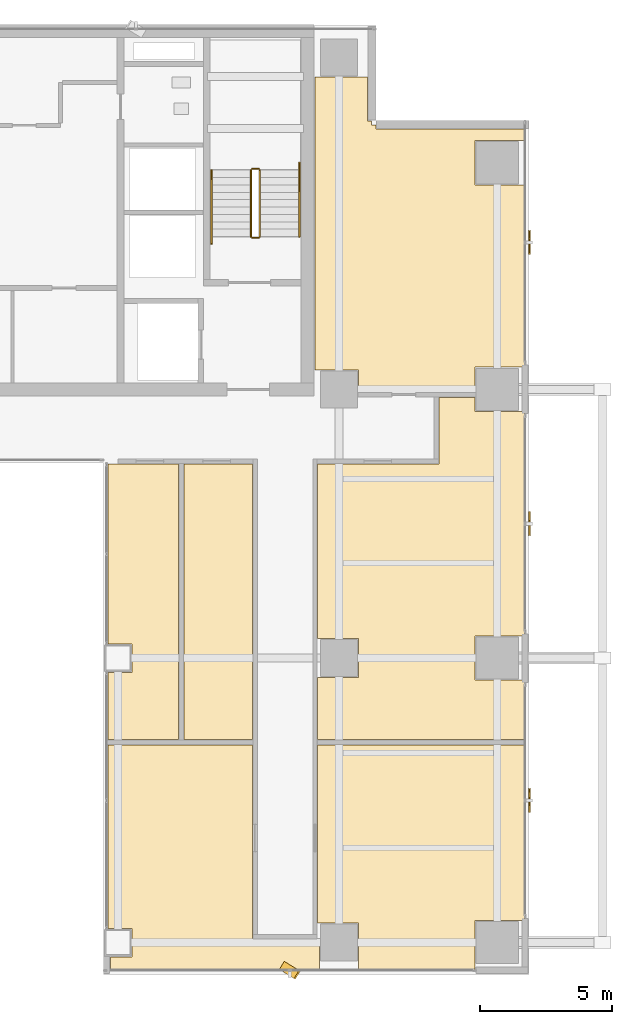
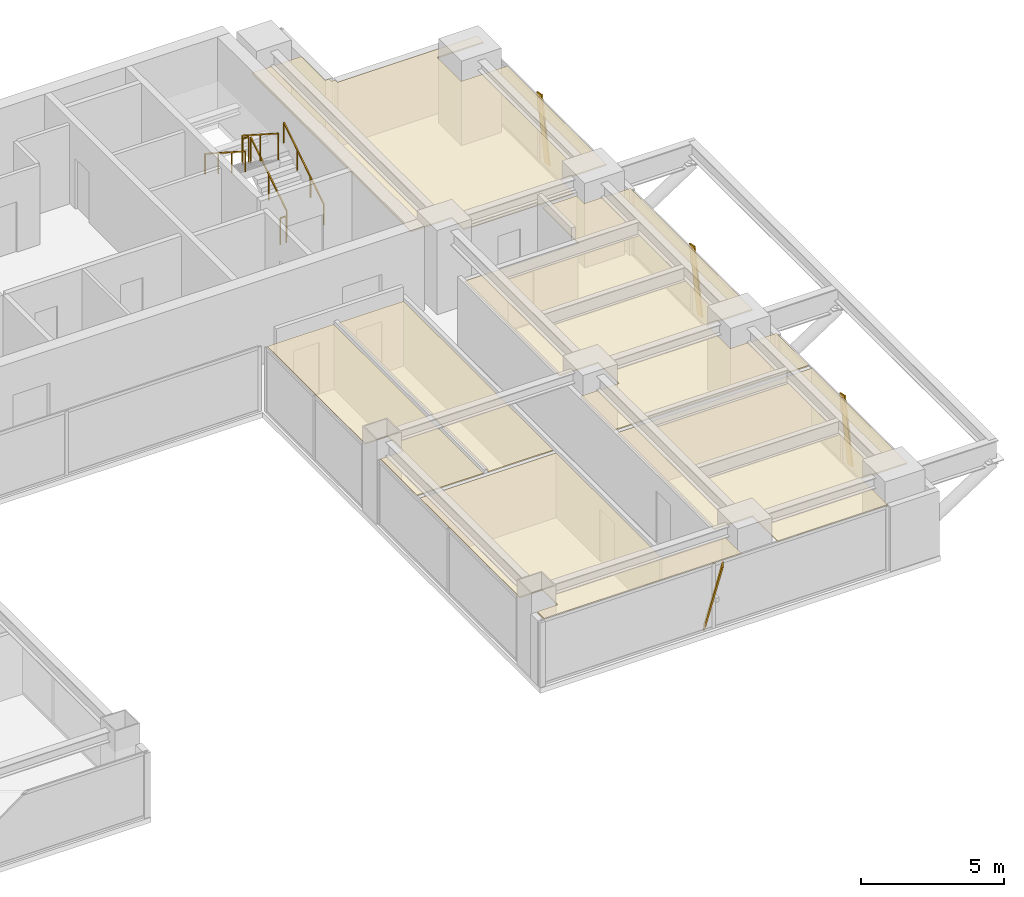
# One storey, part 29 of 31: 6 coverings, 6 railings, 4 shading devices.
"""IFC4 building model written with IfcOpenShell, lengths in metres."""

from ifc_helpers import new_model, si_unit, direction, frame, origin, origin_2d, place, context, subcontext, project, spatial, polyline, rectangle, outline, extrude, source, transform, mapped, material, layer, layer_set, material_profile, profile_set, type_object, element, save


model = new_model("IFC4")

# Units and contexts
model_context = context("Model", 3, precision=1e-05, world=origin(), true_north=direction((0.0, 1.0)))
body_context = subcontext(model_context, "Body", "Model", "MODEL_VIEW")
ifc_project = project(units=[si_unit("LENGTHUNIT", "METRE"), si_unit("AREAUNIT", "SQUARE_METRE"), si_unit("VOLUMEUNIT", "CUBIC_METRE"), si_unit("PLANEANGLEUNIT", "RADIAN"), si_unit("MASSUNIT", "GRAM", prefix="KILO")], contexts=[model_context])

# Site, building, storey
site_placement = place(None, origin())
site = spatial("IfcSite", under=ifc_project, at=site_placement, CompositionType="ELEMENT")
building_placement = place(site_placement, origin())
building = spatial("IfcBuilding", under=site, at=building_placement, Name="Sumidabori Civic Tower", CompositionType="ELEMENT")
storey_placement = place(building_placement, frame((0.0, 0.0, 221.60009765625)))
storey = spatial("IfcBuildingStorey", under=building, at=storey_placement, Name="L57", CompositionType="ELEMENT", Elevation=221.60009765625)

# Coverings
ifc_material_1 = material(Name="Anodised Bronze Baffle Ceiling")
ifc_layer = layer(ifc_material_1, 0.054931640625, Name="Anodised Bronze Baffle Ceiling")
ifc_layer_set = layer_set([ifc_layer], Name="Anodised Bronze Baffle Ceiling")
covering_type = type_object("IfcCoveringType", Name="CV-CEIL-AC3", PredefinedType="CEILING", material=ifc_layer_set)
covering_1_placement = place(storey_placement, frame((0.0, 0.0, 2.72998046875)))
element("IfcCovering", 1, at=covering_1_placement, inside=storey, type_object=covering_type, Name="Room Acoustic Ceiling L57-02", PredefinedType="CEILING", context=body_context, shape_type="SweptSolid", body=[
    extrude(outline(polyline([(23.830078125, 20.072021484375), (23.830078125, 19.639892578125), (21.9599609375, 19.639892578125), (21.9599609375, 17.9599609375), (23.830078125, 17.9599609375), (23.830078125, 11.0400390625), (21.9599609375, 11.0400390625), (21.9599609375, 10.1025390625), (20.5849609375, 10.1025390625), (20.5849609375, 10.135009765625), (17.5400390625, 10.135009765625), (17.5400390625, 10.93994140625), (15.8779296875, 10.93994140625), (15.8779296875, 22.06005859375), (17.8720703125, 22.06005859375), (17.8720703125, 20.39208984375), (18.030029296875, 20.39208984375), (18.030029296875, 20.22998046875), (18.19189453125, 20.22998046875), (18.19189453125, 20.072021484375), (23.830078125, 20.072021484375)])), origin(), (0.0, 0.0, 1.0), 0.054931640625),
])
covering_2_placement = place(storey_placement, frame((0.0, 0.0, 2.72998046875)))
element("IfcCovering", 2, at=covering_2_placement, inside=storey, type_object=covering_type, Name="Room Acoustic Ceiling L57-04", PredefinedType="CEILING", context=body_context, shape_type="SweptSolid", body=[
    extrude(outline(polyline([(15.985107421875, -0.739990234375), (17.5400390625, -0.739990234375), (17.5400390625, 0.739990234375), (15.985107421875, 0.739990234375), (15.985107421875, 7.364990234375), (20.5673828125, 7.364990234375), (20.5849609375, 7.369384765625), (20.5849609375, 9.8974609375), (21.9599609375, 9.8974609375), (21.9599609375, 9.360107421875), (23.830078125, 9.360107421875), (23.830078125, 0.840087890625), (21.9599609375, 0.840087890625), (21.9599609375, -0.840087890625), (23.830078125, -0.840087890625), (23.830078125, -3.097412109375), (15.985107421875, -3.097412109375), (15.985107421875, -0.739990234375)])), origin(), (0.0, 0.0, 1.0), 0.054931640625),
])
covering_3_placement = place(storey_placement, frame((0.0, 0.0, 2.72998046875)))
element("IfcCovering", 3, at=covering_3_placement, inside=storey, type_object=covering_type, Name="Room Acoustic Ceiling L57-06", PredefinedType="CEILING", context=body_context, shape_type="SweptSolid", body=[
    extrude(outline(polyline([(8.02001953125, -3.097412109375), (8.02001953125, -0.5400390625), (8.93994140625, -0.5400390625), (8.93994140625, 0.5400390625), (8.02001953125, 0.5400390625), (8.02001953125, 7.364990234375), (10.697509765625, 7.364990234375), (10.697509765625, -3.097412109375), (8.02001953125, -3.097412109375)])), origin(), (0.0, 0.0, 1.0), 0.054931640625),
])
covering_4_placement = place(storey_placement, frame((0.0, 0.0, 2.72998046875)))
element("IfcCovering", 4, at=covering_4_placement, inside=storey, type_object=covering_type, Name="Room Acoustic Ceiling L57-08", PredefinedType="CEILING", context=body_context, shape_type="SweptSolid", body=[
    extrude(outline(polyline([(10.902587890625, -3.097412109375), (10.902587890625, 7.364990234375), (13.514892578125, 7.364990234375), (13.514892578125, -3.097412109375), (10.902587890625, -3.097412109375)])), origin(), (0.0, 0.0, 1.0), 0.054931640625),
])
covering_5_placement = place(storey_placement, frame((0.0, 0.0, 2.72998046875)))
element("IfcCovering", 5, at=covering_5_placement, inside=storey, type_object=covering_type, Name="Room Acoustic Ceiling L57-10", PredefinedType="CEILING", context=body_context, shape_type="SweptSolid", body=[
    extrude(outline(polyline([(17.5400390625, -10.06005859375), (15.985107421875, -10.06005859375), (15.985107421875, -3.302490234375), (23.830078125, -3.302490234375), (23.830078125, -9.9599609375), (21.9599609375, -9.9599609375), (21.9599609375, -11.830078125), (17.5400390625, -11.830078125), (17.5400390625, -10.06005859375)])), origin(), (0.0, 0.0, 1.0), 0.054931640625),
])
covering_6_placement = place(storey_placement, frame((0.0, 0.0, 2.72998046875)))
element("IfcCovering", 6, at=covering_6_placement, inside=storey, type_object=covering_type, Name="Room Acoustic Ceiling L57-12", PredefinedType="CEILING", context=body_context, shape_type="SweptSolid", body=[
    extrude(outline(polyline([(8.93994140625, -11.340087890625), (8.93994140625, -10.260009765625), (8.02001953125, -10.260009765625), (8.02001953125, -3.302490234375), (13.514892578125, -3.302490234375), (13.514892578125, -10.68505859375), (16.06005859375, -10.68505859375), (16.06005859375, -11.830078125), (8.117919921875, -11.830078125), (8.117919921875, -11.340087890625), (8.93994140625, -11.340087890625)])), origin(), (0.0, 0.0, 1.0), 0.054931640625),
])

# Railings
ifc_material_2 = material(Name="Stainless Steel Hairline Finish", Category="steel")
railing_type_1 = type_object("IfcRailingType", Name="RL-HANDRAIL", PredefinedType="HANDRAIL", material=ifc_material_2)
railing_1_placement = place(storey_placement, frame((15.2900390625, 16.0, 0.179931640625)))
element("IfcRailing", 7, at=railing_1_placement, inside=storey, type_object=railing_type_1, Name="L57 ST-2 stair handrail 1", PredefinedType="HANDRAIL", context=body_context, shape_type="SweptSolid", body=[
    extrude(rectangle(XDim=0.048095703125, YDim=0.048095703125, at=origin_2d()), frame((0.0, 0.0, 0.8759765625), z_axis=(0.0, 0.840675598268, 0.541539046124), x_axis=(-1.0, 0.0, 0.0)), (0.0, 0.0, 1.0), 3.330810546875),
    extrude(rectangle(XDim=0.0419921875, YDim=0.0419921875, at=origin_2d()), origin(), (0.0, 0.0, 1.0), 0.851806640625),
    extrude(rectangle(XDim=0.0419921875, YDim=0.0419921875, at=origin_2d()), frame((0.0, 0.933349609375, 0.601318359375)), (0.0, 0.0, 1.0), 0.851806640625),
    extrude(rectangle(XDim=0.0419921875, YDim=0.0419921875, at=origin_2d()), frame((0.0, 1.86669921875, 1.202392578125)), (0.0, 0.0, 1.0), 0.851806640625),
    extrude(rectangle(XDim=0.0419921875, YDim=0.0419921875, at=origin_2d()), frame((0.0, 2.800048828125, 1.8037109375)), (0.0, 0.0, 1.0), 0.851806640625),
])
railing_2_placement = place(storey_placement, frame((11.949951171875, 18.52001953125, 1.97998046875)))
element("IfcRailing", 8, at=railing_2_placement, inside=storey, type_object=railing_type_1, Name="L57 ST-2 stair handrail 2", PredefinedType="HANDRAIL", context=body_context, shape_type="SweptSolid", body=[
    extrude(rectangle(XDim=0.048095703125, YDim=0.048095703125, at=origin_2d()), frame((0.0, 0.0, 0.8759765625), z_axis=(0.0, -0.840675598268, 0.541539046124), x_axis=(1.0, 0.0, 0.0)), (0.0, 0.0, 1.0), 3.330810546875),
    extrude(rectangle(XDim=0.0419921875, YDim=0.0419921875, at=origin_2d()), origin(), (0.0, 0.0, 1.0), 0.851806640625),
    extrude(rectangle(XDim=0.0419921875, YDim=0.0419921875, at=origin_2d()), frame((0.0, -0.933349609375, 0.601318359375)), (0.0, 0.0, 1.0), 0.851806640625),
    extrude(rectangle(XDim=0.0419921875, YDim=0.0419921875, at=origin_2d()), frame((0.0, -1.86669921875, 1.202392578125)), (0.0, 0.0, 1.0), 0.851806640625),
    extrude(rectangle(XDim=0.0419921875, YDim=0.0419921875, at=origin_2d()), frame((0.0, -2.800048828125, 1.8037109375)), (0.0, 0.0, 1.0), 0.851806640625),
])
ifc_material_3 = material(Name="Steel SN490", Category="steel")
railing_type_2 = type_object("IfcRailingType", Name="RL-STAIR-GUARD", PredefinedType="GUARDRAIL", material=ifc_material_3)
railing_3_placement = place(storey_placement, frame((13.7900390625, 16.0, 0.179931640625)))
element("IfcRailing", 9, at=railing_3_placement, inside=storey, type_object=railing_type_2, Name="L57 ST-2 stair guard 1", PredefinedType="GUARDRAIL", context=body_context, shape_type="SweptSolid", body=[
    extrude(rectangle(XDim=0.048095703125, YDim=0.048095703125, at=origin_2d()), frame((0.0, 0.0, 1.1259765625), z_axis=(0.0, 0.841199657755, 0.540724639528), x_axis=(-1.0, 0.0, 0.0)), (0.0, 0.0, 1.0), 2.995849609375),
    extrude(rectangle(XDim=0.0419921875, YDim=0.0419921875, at=origin_2d()), origin(), (0.0, 0.0, 1.0), 1.101806640625),
    extrude(rectangle(XDim=0.0419921875, YDim=0.0419921875, at=origin_2d()), frame((0.0, 1.260009765625, 0.81005859375)), (0.0, 0.0, 1.0), 1.101806640625),
    extrude(rectangle(XDim=0.0419921875, YDim=0.0419921875, at=origin_2d()), frame((0.0, 2.52001953125, 1.619873046875)), (0.0, 0.0, 1.0), 1.101806640625),
])
railing_4_placement = place(storey_placement, frame((13.739990234375, 18.570068359375, 1.7998046875)))
element("IfcRailing", 10, at=railing_4_placement, inside=storey, type_object=railing_type_2, Name="L57 ST-2 stair guard 2", PredefinedType="GUARDRAIL", context=body_context, shape_type="SweptSolid", body=[
    extrude(rectangle(XDim=0.048095703125, YDim=0.048095703125, at=origin_2d()), frame((0.0, 0.0, 1.1259765625), z_axis=(-1.0, 0.0, 0.0), x_axis=(0.0, -1.0, 0.0)), (0.0, 0.0, 1.0), 0.239990234375),
    extrude(rectangle(XDim=0.0419921875, YDim=0.0419921875, at=origin_2d()), origin(), (0.0, 0.0, 1.0), 1.101806640625),
    extrude(rectangle(XDim=0.0419921875, YDim=0.0419921875, at=origin_2d()), frame((-0.239990234375, 0.0, 0.0)), (0.0, 0.0, 1.0), 1.101806640625),
])
railing_5_placement = place(storey_placement, frame((13.449951171875, 18.52001953125, 1.97998046875)))
element("IfcRailing", 11, at=railing_5_placement, inside=storey, type_object=railing_type_2, Name="L57 ST-2 stair guard 3", PredefinedType="GUARDRAIL", context=body_context, shape_type="SweptSolid", body=[
    extrude(rectangle(XDim=0.048095703125, YDim=0.048095703125, at=origin_2d()), frame((0.0, 0.0, 1.1259765625), z_axis=(0.0, -0.841199657755, 0.540724639528), x_axis=(1.0, 0.0, 0.0)), (0.0, 0.0, 1.0), 2.995849609375),
    extrude(rectangle(XDim=0.0419921875, YDim=0.0419921875, at=origin_2d()), origin(), (0.0, 0.0, 1.0), 1.101806640625),
    extrude(rectangle(XDim=0.0419921875, YDim=0.0419921875, at=origin_2d()), frame((0.0, -1.260009765625, 0.81005859375)), (0.0, 0.0, 1.0), 1.101806640625),
    extrude(rectangle(XDim=0.0419921875, YDim=0.0419921875, at=origin_2d()), frame((0.0, -2.52001953125, 1.619873046875)), (0.0, 0.0, 1.0), 1.101806640625),
])
railing_6_placement = place(storey_placement, frame((13.739990234375, 15.949951171875, 0.0)))
element("IfcRailing", 12, at=railing_6_placement, inside=storey, type_object=railing_type_2, Name="L57 ST-2 stair guard 4", PredefinedType="GUARDRAIL", context=body_context, shape_type="SweptSolid", body=[
    extrude(rectangle(XDim=0.048095703125, YDim=0.048095703125, at=origin_2d()), frame((0.0, 0.0, 1.1259765625), z_axis=(-1.0, 0.0, 0.0), x_axis=(0.0, -1.0, 0.0)), (0.0, 0.0, 1.0), 0.239990234375),
    extrude(rectangle(XDim=0.0419921875, YDim=0.0419921875, at=origin_2d()), origin(), (0.0, 0.0, 1.0), 1.101806640625),
    extrude(rectangle(XDim=0.0419921875, YDim=0.0419921875, at=origin_2d()), frame((-0.239990234375, 0.0, 0.0)), (0.0, 0.0, 1.0), 1.101806640625),
])

# Shading devices
ifc_material_4 = material(Name="Anodised Bronze Aluminium AW-6063-T6", Category="aluminium")
ifc_material_profile = material_profile(ifc_material_4, rectangle(XDim=0.054931640625, YDim=0.360107421875, at=origin_2d()), Name="BRONZE FIN 360x55")
ifc_profile_set = profile_set([ifc_material_profile], Name="Anodised Bronze Aluminium AW-6063-T6")
shading_device_type = type_object("IfcShadingDeviceType", Name="SH-FIN-360", PredefinedType="USERDEFINED", material=ifc_profile_set)
shared_shape_1 = source(origin(), body_context, "Body", "SweptSolid", [
    extrude(rectangle(XDim=0.054931640625, YDim=0.360107421875, at=origin_2d()), origin(), (0.0, 0.0, 1.0), 2.7783203125),
])
shading_device_placement = place(storey_placement, frame((14.64501953125, -11.679931640625, 0.02001953125), z_axis=(0.201581748781, -0.122407748933, 0.971792746196), x_axis=(0.830641884105, -0.504395878186, -0.235836507862)))
element("IfcShadingDevice", 13, at=shading_device_placement, inside=storey, type_object=shading_device_type, Name="Bronze Anodised Diagonal Fin L57-01", ObjectType="FIN", PredefinedType="USERDEFINED", context=body_context, shape_type="MappedRepresentation", body=[
    mapped(shared_shape_1, transform((0.0, 0.0, 0.0), x_axis=(1.0, 0.0, 0.0), y_axis=(0.0, 1.0, 0.0), z_axis=(0.0, 0.0, 1.0), scale=1.0)),
])
shared_shape_2 = source(origin(), body_context, "Body", "SweptSolid", [
    extrude(rectangle(XDim=0.054931640625, YDim=0.360107421875, at=origin_2d()), origin(), (0.0, 0.0, 1.0), 2.75732421875),
])
for number, where, z_axis, x_axis, name in (
    (14, (24.02001953125, -5.679931640625, 0.02001953125), (0.0, 0.20302426177, 0.979173707333), (-1.0, 0.0, 0.0), "Bronze Anodised Diagonal Fin L57-01"),
    (15, (24.02001953125, 4.820068359375, 0.02001953125), (0.0, 0.20302426177, 0.979173707333), (-1.0, 0.0, 0.0), "Bronze Anodised Diagonal Fin L57-01"),
    (16, (24.02001953125, 15.4951171875, 0.02001953125), (0.0, 0.20302426177, 0.979173707333), (-1.0, 0.0, 0.0), "Bronze Anodised Diagonal Fin L57-01"),
):
    element("IfcShadingDevice", number, at=place(storey_placement, frame(where, z_axis=z_axis, x_axis=x_axis)), inside=storey, type_object=shading_device_type, Name=name, ObjectType="FIN", PredefinedType="USERDEFINED", context=body_context, shape_type="MappedRepresentation", body=[
        mapped(shared_shape_2, transform((0.0, 0.0, 0.0), x_axis=(1.0, 0.0, 0.0), y_axis=(0.0, 1.0, 0.0), z_axis=(0.0, 0.0, 1.0), scale=1.0)),
    ])

save(model, "model.ifc")
